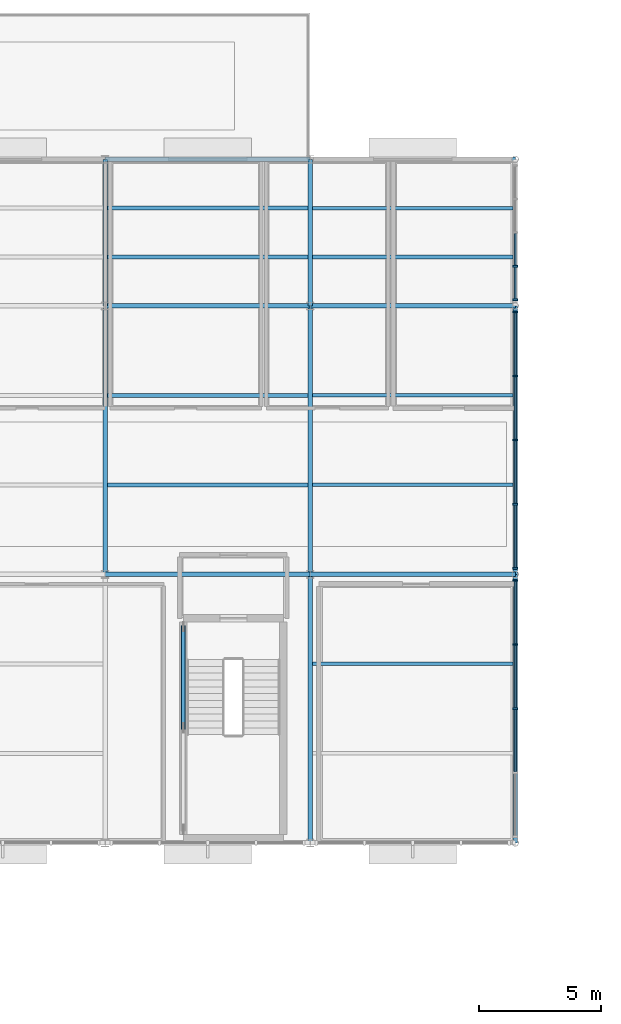
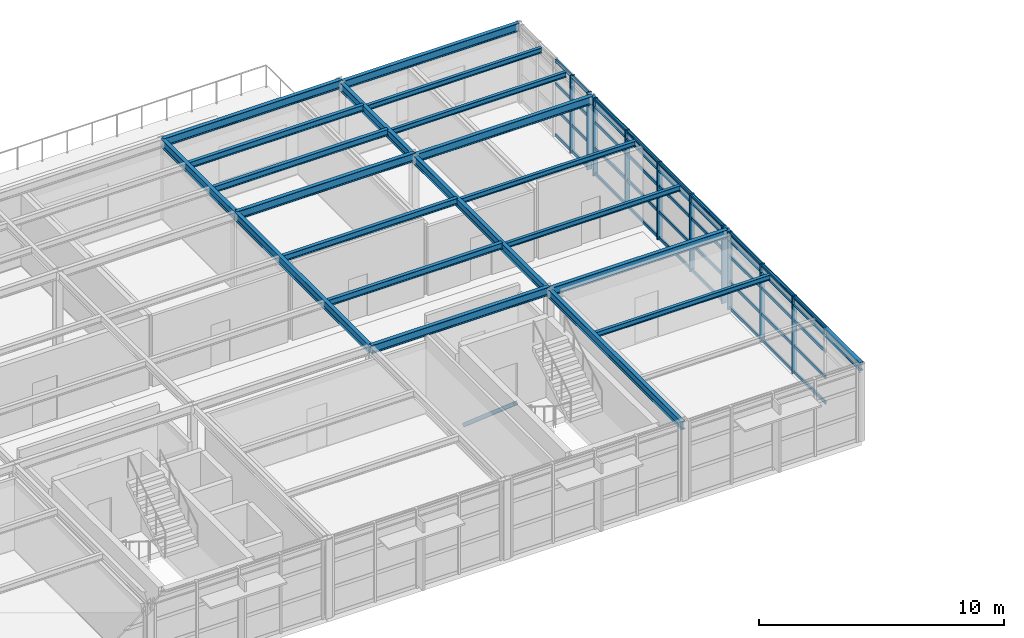
# One storey, part 10 of 21: 47 members, 22 beams, 3 elements without a shape of their own.
"""IFC4 building model written with IfcOpenShell, lengths in metres."""

from ifc_helpers import new_model, si_unit, direction, frame, origin, origin_2d, place, context, subcontext, project, spatial, rectangle, hollow_rectangle, i_section, extrude, material, layer, layer_set, material_profile, profile_set, type_object, element, aggregate, save


model = new_model("IFC4")

# Units and contexts
model_context = context("Model", 3, precision=1e-05, world=origin(), true_north=direction((0.0, 1.0)))
body_context = subcontext(model_context, "Body", "Model", "MODEL_VIEW")
ifc_project = project(units=[si_unit("LENGTHUNIT", "METRE"), si_unit("AREAUNIT", "SQUARE_METRE"), si_unit("VOLUMEUNIT", "CUBIC_METRE"), si_unit("PLANEANGLEUNIT", "RADIAN"), si_unit("MASSUNIT", "GRAM", prefix="KILO")], contexts=[model_context])

# Site, building, storey
site_placement = place(None, origin())
site = spatial("IfcSite", under=ifc_project, at=site_placement, CompositionType="ELEMENT")
building_placement = place(site_placement, origin())
building = spatial("IfcBuilding", under=site, at=building_placement, Name="Sitalva Quay Ferry Terminal", CompositionType="ELEMENT")
storey_placement = place(building_placement, frame((0.0, 0.0, 14.39990234375)))
storey = spatial("IfcBuildingStorey", under=building, at=storey_placement, Name="L04", CompositionType="ELEMENT", Elevation=14.39990234375)

# Beams
ifc_material_1 = material(Name="Structural Steel S355JR", Category="steel")
ifc_material_profile_1 = material_profile(ifc_material_1, i_section(OverallWidth=0.178955078125, OverallDepth=0.409912109375, WebThickness=0.0087890625, FlangeThickness=0.014404296875, FilletRadius=0.012939453125, at=origin_2d()), Name="W410x67")
ifc_profile_set_1 = profile_set([ifc_material_profile_1], Name="Structural Steel S355JR")
beam_type_1 = type_object("IfcBeamType", Name="Beam_W410x67", PredefinedType="BEAM", material=ifc_profile_set_1)
beam_1_placement = place(storey_placement, frame((109.199951171875, 89.0, 3.7451171875), z_axis=(0.0, 1.0, 0.0), x_axis=(-1.0, 0.0, 0.0)))
element("IfcBeam", 1, at=beam_1_placement, inside=storey, type_object=beam_type_1, Name="L04 Primary Y girder 1358", PredefinedType="BEAM", context=body_context, shape_type="SweptSolid", body=[
    extrude(i_section(OverallWidth=0.178955078125, OverallDepth=0.409912109375, WebThickness=0.0087890625, FlangeThickness=0.014404296875, FilletRadius=0.012939453125, at=origin_2d()), origin(), (0.0, 0.0, 1.0), 11.0),
])
beam_2_placement = place(storey_placement, frame((109.199951171875, 100.0, 3.7451171875), z_axis=(0.0, 1.0, 0.0), x_axis=(-1.0, 0.0, 0.0)))
element("IfcBeam", 2, at=beam_2_placement, inside=storey, type_object=beam_type_1, Name="L04 Primary Y girder 1359", PredefinedType="BEAM", context=body_context, shape_type="SweptSolid", body=[
    extrude(i_section(OverallWidth=0.178955078125, OverallDepth=0.409912109375, WebThickness=0.0087890625, FlangeThickness=0.014404296875, FilletRadius=0.012939453125, at=origin_2d()), origin(), (0.0, 0.0, 1.0), 6.0),
])
for number, where, z_axis, x_axis, name in (
    (3, (117.60009765625, 78.0, 3.64501953125), (0.0, 1.0, 0.0), (-1.0, 0.0, 0.0), "L04 Primary Y girder 1360"),
    (4, (117.60009765625, 89.0, 3.64501953125), (0.0, 1.0, 0.0), (-1.0, 0.0, 0.0), "L04 Primary Y girder 1361"),
):
    element("IfcBeam", number, at=place(storey_placement, frame(where, z_axis=z_axis, x_axis=x_axis)), inside=storey, type_object=beam_type_1, Name=name, PredefinedType="BEAM", context=body_context, shape_type="SweptSolid", body=[
        extrude(i_section(OverallWidth=0.178955078125, OverallDepth=0.409912109375, WebThickness=0.0087890625, FlangeThickness=0.014404296875, FilletRadius=0.012939453125, at=origin_2d()), origin(), (0.0, 0.0, 1.0), 11.0),
    ])
beam_3_placement = place(storey_placement, frame((117.60009765625, 100.0, 3.64501953125), z_axis=(0.0, 1.0, 0.0), x_axis=(-1.0, 0.0, 0.0)))
element("IfcBeam", 5, at=beam_3_placement, inside=storey, type_object=beam_type_1, Name="L04 Primary Y girder 1362", PredefinedType="BEAM", context=body_context, shape_type="SweptSolid", body=[
    extrude(i_section(OverallWidth=0.178955078125, OverallDepth=0.409912109375, WebThickness=0.0087890625, FlangeThickness=0.014404296875, FilletRadius=0.012939453125, at=origin_2d()), origin(), (0.0, 0.0, 1.0), 6.0),
])
for number, where, z_axis, x_axis, name in (
    (6, (117.60009765625, 89.0, 3.64501953125), (1.0, 0.0, 0.0), (0.0, 1.0, 0.0), "L04 Primary X girder 1388"),
    (7, (117.60009765625, 100.0, 3.64501953125), (1.0, 0.0, 0.0), (0.0, 1.0, 0.0), "L04 Primary X girder 1389"),
    (8, (117.60009765625, 106.0, 3.64501953125), (1.0, 0.0, 0.0), (0.0, 1.0, 0.0), "L04 Primary X girder 1390"),
):
    element("IfcBeam", number, at=place(storey_placement, frame(where, z_axis=z_axis, x_axis=x_axis)), inside=storey, type_object=beam_type_1, Name=name, PredefinedType="BEAM", context=body_context, shape_type="SweptSolid", body=[
        extrude(i_section(OverallWidth=0.178955078125, OverallDepth=0.409912109375, WebThickness=0.0087890625, FlangeThickness=0.014404296875, FilletRadius=0.012939453125, at=origin_2d()), origin(), (0.0, 0.0, 1.0), 8.39990234375),
    ])
for number, where, z_axis, x_axis, name in (
    (9, (126.0, 78.0, 3.64501953125), (0.0, 1.0, 0.0), (-1.0, 0.0, 0.0), "L04 Primary Y girder 1391"),
    (10, (126.0, 89.0, 3.64501953125), (0.0, 1.0, 0.0), (-1.0, 0.0, 0.0), "L04 Primary Y girder 1392"),
):
    element("IfcBeam", number, at=place(storey_placement, frame(where, z_axis=z_axis, x_axis=x_axis)), inside=storey, type_object=beam_type_1, Name=name, PredefinedType="BEAM", context=body_context, shape_type="SweptSolid", body=[
        extrude(i_section(OverallWidth=0.178955078125, OverallDepth=0.409912109375, WebThickness=0.0087890625, FlangeThickness=0.014404296875, FilletRadius=0.012939453125, at=origin_2d()), origin(), (0.0, 0.0, 1.0), 11.0),
    ])
ifc_material_2 = material(Name="Structural Steel S355JR", Category="steel")
ifc_material_profile_2 = material_profile(ifc_material_2, i_section(OverallWidth=0.180908203125, OverallDepth=0.4169921875, WebThickness=0.010986328125, FlangeThickness=0.018310546875, FilletRadius=0.012939453125, at=origin_2d()), Name="W410x85")
ifc_profile_set_2 = profile_set([ifc_material_profile_2], Name="Structural Steel S355JR")
beam_type_2 = type_object("IfcBeamType", Name="Beam_W410x85", PredefinedType="BEAM", material=ifc_profile_set_2)
for number, where, z_axis, x_axis, name in (
    (11, (109.199951171875, 89.0, 3.74169921875), (1.0, 0.0, 0.0), (0.0, 1.0, 0.0), "L04 Primary X girder 1334"),
    (12, (109.199951171875, 100.0, 3.74169921875), (1.0, 0.0, 0.0), (0.0, 1.0, 0.0), "L04 Primary X girder 1339"),
    (13, (109.199951171875, 106.0, 3.74169921875), (1.0, 0.0, 0.0), (0.0, 1.0, 0.0), "L04 Primary X girder 1344"),
):
    element("IfcBeam", number, at=place(storey_placement, frame(where, z_axis=z_axis, x_axis=x_axis)), inside=storey, type_object=beam_type_2, Name=name, PredefinedType="BEAM", context=body_context, shape_type="SweptSolid", body=[
        extrude(i_section(OverallWidth=0.180908203125, OverallDepth=0.4169921875, WebThickness=0.010986328125, FlangeThickness=0.018310546875, FilletRadius=0.012939453125, at=origin_2d()), origin(), (0.0, 0.0, 1.0), 8.400146484375),
    ])

# Member
ifc_material_3 = material(Name="Structural Steel S355JR", Category="steel")
ifc_material_profile_3 = material_profile(ifc_material_3, hollow_rectangle(XDim=0.179931640625, YDim=0.179931640625, WallThickness=0.010009765625, InnerFilletRadius=0.010009765625, OuterFilletRadius=0.02001953125, at=origin_2d()), Name="SHS180x180x10")
ifc_profile_set_3 = profile_set([ifc_material_profile_3], Name="Structural Steel S355JR")
member_type_1 = type_object("IfcMemberType", Name="Brace_SHS180x10", PredefinedType="BRACE", material=ifc_profile_set_3)
member_1_placement = place(storey_placement, frame((112.39990234375, 82.699951171875, 3.72998046875), z_axis=(0.0, 0.757218501508, -0.653161649957), x_axis=(-1.0, 0.0, 0.0)))
element("IfcMember", 14, at=member_1_placement, inside=storey, type_object=member_type_1, Name="Braced frame BF5 L04 chevron B", PredefinedType="BRACE", context=body_context, shape_type="SweptSolid", body=[
    extrude(hollow_rectangle(XDim=0.179931640625, YDim=0.179931640625, WallThickness=0.010009765625, InnerFilletRadius=0.010009765625, OuterFilletRadius=0.02001953125, at=origin_2d()), origin(), (0.0, 0.0, 1.0), 5.480712890625),
])

# Beams
ifc_material_4 = material(Name="Structural Steel S355JR", Category="steel")
ifc_material_profile_4 = material_profile(ifc_material_4, i_section(OverallWidth=0.14697265625, OverallDepth=0.261962890625, WebThickness=0.006591796875, FlangeThickness=0.01123046875, FilletRadius=0.010009765625, at=origin_2d()), Name="W250x39")
ifc_profile_set_4 = profile_set([ifc_material_profile_4], Name="Structural Steel S355JR")
beam_type_3 = type_object("IfcBeamType", Name="Joist_W250x39", PredefinedType="JOIST", material=ifc_profile_set_4)
for number, where, z_axis, x_axis, name in (
    (15, (117.689453125, 85.333251953125, 3.718994140625), (1.0, 0.0, 0.0), (0.0, 1.0, 0.0), "L04 Secondary joist 1395"),
    (16, (117.689453125, 92.666748046875, 3.718994140625), (1.0, 0.0, 0.0), (0.0, 1.0, 0.0), "L04 Secondary joist 1396"),
    (17, (117.689453125, 96.333251953125, 3.718994140625), (1.0, 0.0, 0.0), (0.0, 1.0, 0.0), "L04 Secondary joist 1397"),
    (18, (117.689453125, 102.0, 3.718994140625), (1.0, 0.0, 0.0), (0.0, 1.0, 0.0), "L04 Secondary joist 1398"),
    (19, (117.689453125, 104.0, 3.718994140625), (1.0, 0.0, 0.0), (0.0, 1.0, 0.0), "L04 Secondary joist 1399"),
):
    element("IfcBeam", number, at=place(storey_placement, frame(where, z_axis=z_axis, x_axis=x_axis)), inside=storey, type_object=beam_type_3, Name=name, PredefinedType="JOIST", context=body_context, shape_type="SweptSolid", body=[
        extrude(i_section(OverallWidth=0.14697265625, OverallDepth=0.261962890625, WebThickness=0.006591796875, FlangeThickness=0.01123046875, FilletRadius=0.010009765625, at=origin_2d()), origin(), (0.0, 0.0, 1.0), 8.220947265625),
    ])
ifc_material_5 = material(Name="Structural Steel S355JR", Category="steel")
ifc_material_profile_5 = material_profile(ifc_material_5, i_section(OverallWidth=0.166015625, OverallDepth=0.31298828125, WebThickness=0.006591796875, FlangeThickness=0.01123046875, FilletRadius=0.010986328125, at=origin_2d()), Name="W310x45")
ifc_profile_set_5 = profile_set([ifc_material_profile_5], Name="Structural Steel S355JR")
beam_type_4 = type_object("IfcBeamType", Name="Joist_W310x45", PredefinedType="JOIST", material=ifc_profile_set_5)
for number, where, z_axis, x_axis, name in (
    (20, (109.28955078125, 92.666748046875, 3.793701171875), (1.0, 0.0, 0.0), (0.0, 1.0, 0.0), "L04 Secondary joist 1371"),
    (21, (109.28955078125, 96.333251953125, 3.793701171875), (1.0, 0.0, 0.0), (0.0, 1.0, 0.0), "L04 Secondary joist 1376"),
    (22, (109.28955078125, 102.0, 3.793701171875), (1.0, 0.0, 0.0), (0.0, 1.0, 0.0), "L04 Secondary joist 1381"),
    (23, (109.28955078125, 104.0, 3.793701171875), (1.0, 0.0, 0.0), (0.0, 1.0, 0.0), "L04 Secondary joist 1386"),
):
    element("IfcBeam", number, at=place(storey_placement, frame(where, z_axis=z_axis, x_axis=x_axis)), inside=storey, type_object=beam_type_4, Name=name, PredefinedType="JOIST", context=body_context, shape_type="SweptSolid", body=[
        extrude(i_section(OverallWidth=0.166015625, OverallDepth=0.31298828125, WebThickness=0.006591796875, FlangeThickness=0.01123046875, FilletRadius=0.010986328125, at=origin_2d()), origin(), (0.0, 0.0, 1.0), 8.220947265625),
    ])

# Curtain wall, members
ifc_material_6 = material(Name="Anodised Aluminium & Low-E Glazing", Category="aluminium")
ifc_layer = layer(ifc_material_6, 0.159912109375)
ifc_layer_set = layer_set([ifc_layer], Name="Anodised Aluminium & Low-E Glazing")
curtain_wall_type = type_object("IfcCurtainWallType", Name="CW_Office_Unitised", PredefinedType="USERDEFINED", material=ifc_layer_set)
curtain_wall_1_placement = place(storey_placement, origin())
curtain_wall_1 = element("IfcCurtainWall", 24, at=curtain_wall_1_placement, inside=storey, type_object=curtain_wall_type, Name="L04 pilotage east glazing (CW-L04-138)", ObjectType="CURTAIN_WALL", PredefinedType="USERDEFINED")
ifc_material_7 = material(Name="Anodised Aluminium 6063-T6", Category="aluminium")
ifc_material_profile_6 = material_profile(ifc_material_7, rectangle(XDim=0.074951171875, YDim=0.219970703125, at=origin_2d()), Name="ALU75x220")
ifc_profile_set_6 = profile_set([ifc_material_profile_6], Name="Anodised Aluminium 6063-T6")
member_type_2 = type_object("IfcMemberType", Name="Mullion_Alu_75x160", PredefinedType="MULLION", material=ifc_profile_set_6)
member_2_placement = place(storey_placement, frame((126.0, 83.5, 0.0), z_axis=(0.0, 0.0, 1.0), x_axis=(0.0, 1.0, 0.0)))
member_2 = element("IfcMember", 25, at=member_2_placement, type_object=member_type_2, Name="CW-L04-138-M2", PredefinedType="MULLION", context=body_context, shape_type="SweptSolid", body=[
    extrude(rectangle(XDim=0.074951171875, YDim=0.219970703125, at=origin_2d()), origin(), (0.0, 0.0, 1.0), 3.85009765625),
])
member_3_placement = place(storey_placement, frame((126.0, 86.125, 0.0), z_axis=(0.0, 0.0, 1.0), x_axis=(0.0, 1.0, 0.0)))
member_3 = element("IfcMember", 26, at=member_3_placement, type_object=member_type_2, Name="CW-L04-138-M3", PredefinedType="MULLION", context=body_context, shape_type="SweptSolid", body=[
    extrude(rectangle(XDim=0.074951171875, YDim=0.219970703125, at=origin_2d()), origin(), (0.0, 0.0, 1.0), 3.85009765625),
])
member_4_placement = place(storey_placement, frame((126.0, 88.75, 0.0), z_axis=(0.0, 0.0, 1.0), x_axis=(0.0, 1.0, 0.0)))
member_4 = element("IfcMember", 27, at=member_4_placement, type_object=member_type_2, Name="CW-L04-138-M4", PredefinedType="MULLION", context=body_context, shape_type="SweptSolid", body=[
    extrude(rectangle(XDim=0.074951171875, YDim=0.219970703125, at=origin_2d()), origin(), (0.0, 0.0, 1.0), 3.85009765625),
])

curtain_wall_2_placement = place(storey_placement, origin())
curtain_wall_2 = element("IfcCurtainWall", 28, at=curtain_wall_2_placement, inside=storey, type_object=curtain_wall_type, Name="L04 pilotage east glazing (CW-L04-140)", ObjectType="CURTAIN_WALL", PredefinedType="USERDEFINED")
member_5_placement = place(storey_placement, frame((126.0, 89.25, 0.0), z_axis=(0.0, 0.0, 1.0), x_axis=(0.0, 1.0, 0.0)))
member_5 = element("IfcMember", 29, at=member_5_placement, type_object=member_type_2, Name="CW-L04-140-M0", PredefinedType="MULLION", context=body_context, shape_type="SweptSolid", body=[
    extrude(rectangle(XDim=0.074951171875, YDim=0.219970703125, at=origin_2d()), origin(), (0.0, 0.0, 1.0), 3.85009765625),
])
member_6_placement = place(storey_placement, frame((126.0, 91.875, 0.0), z_axis=(0.0, 0.0, 1.0), x_axis=(0.0, 1.0, 0.0)))
member_6 = element("IfcMember", 30, at=member_6_placement, type_object=member_type_2, Name="CW-L04-140-M1", PredefinedType="MULLION", context=body_context, shape_type="SweptSolid", body=[
    extrude(rectangle(XDim=0.074951171875, YDim=0.219970703125, at=origin_2d()), origin(), (0.0, 0.0, 1.0), 3.85009765625),
])
member_7_placement = place(storey_placement, frame((126.0, 94.5, 0.0), z_axis=(0.0, 0.0, 1.0), x_axis=(0.0, 1.0, 0.0)))
member_7 = element("IfcMember", 31, at=member_7_placement, type_object=member_type_2, Name="CW-L04-140-M2", PredefinedType="MULLION", context=body_context, shape_type="SweptSolid", body=[
    extrude(rectangle(XDim=0.074951171875, YDim=0.219970703125, at=origin_2d()), origin(), (0.0, 0.0, 1.0), 3.85009765625),
])
member_8_placement = place(storey_placement, frame((126.0, 97.125, 0.0), z_axis=(0.0, 0.0, 1.0), x_axis=(0.0, 1.0, 0.0)))
member_8 = element("IfcMember", 32, at=member_8_placement, type_object=member_type_2, Name="CW-L04-140-M3", PredefinedType="MULLION", context=body_context, shape_type="SweptSolid", body=[
    extrude(rectangle(XDim=0.074951171875, YDim=0.219970703125, at=origin_2d()), origin(), (0.0, 0.0, 1.0), 3.85009765625),
])
member_9_placement = place(storey_placement, frame((126.0, 99.75, 0.0), z_axis=(0.0, 0.0, 1.0), x_axis=(0.0, 1.0, 0.0)))
member_9 = element("IfcMember", 33, at=member_9_placement, type_object=member_type_2, Name="CW-L04-140-M4", PredefinedType="MULLION", context=body_context, shape_type="SweptSolid", body=[
    extrude(rectangle(XDim=0.074951171875, YDim=0.219970703125, at=origin_2d()), origin(), (0.0, 0.0, 1.0), 3.85009765625),
])

curtain_wall_3_placement = place(storey_placement, origin())
curtain_wall_3 = element("IfcCurtainWall", 34, at=curtain_wall_3_placement, inside=storey, type_object=curtain_wall_type, Name="L04 pilotage east glazing (CW-L04-142)", ObjectType="CURTAIN_WALL", PredefinedType="USERDEFINED")
member_10_placement = place(storey_placement, frame((126.0, 100.25, 0.0), z_axis=(0.0, 0.0, 1.0), x_axis=(0.0, 1.0, 0.0)))
member_10 = element("IfcMember", 35, at=member_10_placement, type_object=member_type_2, Name="CW-L04-142-M0", PredefinedType="MULLION", context=body_context, shape_type="SweptSolid", body=[
    extrude(rectangle(XDim=0.074951171875, YDim=0.219970703125, at=origin_2d()), origin(), (0.0, 0.0, 1.0), 3.85009765625),
])
member_11_placement = place(storey_placement, frame((126.0, 101.625, 0.0), z_axis=(0.0, 0.0, 1.0), x_axis=(0.0, 1.0, 0.0)))
member_11 = element("IfcMember", 36, at=member_11_placement, type_object=member_type_2, Name="CW-L04-142-M1", PredefinedType="MULLION", context=body_context, shape_type="SweptSolid", body=[
    extrude(rectangle(XDim=0.074951171875, YDim=0.219970703125, at=origin_2d()), origin(), (0.0, 0.0, 1.0), 3.85009765625),
])

# Member
ifc_material_8 = material(Name="Anodised Aluminium 6063-T6", Category="aluminium")
ifc_material_profile_7 = material_profile(ifc_material_8, rectangle(XDim=0.074951171875, YDim=0.14990234375, at=origin_2d()), Name="ALU75x150")
ifc_profile_set_7 = profile_set([ifc_material_profile_7], Name="Anodised Aluminium 6063-T6")
member_type_3 = type_object("IfcMemberType", Name="Transom_Alu_75x140", PredefinedType="MULLION", material=ifc_profile_set_7)
member_12_placement = place(storey_placement, frame((126.0, 80.91259765625, 0.0751953125), z_axis=(0.0, 1.0, 0.0), x_axis=(-1.0, 0.0, 0.0)))
member_12 = element("IfcMember", 37, at=member_12_placement, type_object=member_type_3, Name="CW-L04-138-T1-0", ObjectType="TRANSOM", PredefinedType="USERDEFINED", context=body_context, shape_type="SweptSolid", body=[
    extrude(rectangle(XDim=0.074951171875, YDim=0.14990234375, at=origin_2d()), origin(), (0.0, 0.0, 1.0), 2.5498046875),
])

member_13_placement = place(storey_placement, frame((126.0, 80.91259765625, 1.3583984375), z_axis=(0.0, 1.0, 0.0), x_axis=(-1.0, 0.0, 0.0)))
member_13 = element("IfcMember", 38, at=member_13_placement, type_object=member_type_3, Name="CW-L04-138-T1-1", ObjectType="TRANSOM", PredefinedType="USERDEFINED", context=body_context, shape_type="SweptSolid", body=[
    extrude(rectangle(XDim=0.074951171875, YDim=0.14990234375, at=origin_2d()), origin(), (0.0, 0.0, 1.0), 2.5498046875),
])

member_14_placement = place(storey_placement, frame((126.0, 80.91259765625, 2.641845703125), z_axis=(0.0, 1.0, 0.0), x_axis=(-1.0, 0.0, 0.0)))
member_14 = element("IfcMember", 39, at=member_14_placement, type_object=member_type_3, Name="CW-L04-138-T1-2", ObjectType="TRANSOM", PredefinedType="USERDEFINED", context=body_context, shape_type="SweptSolid", body=[
    extrude(rectangle(XDim=0.074951171875, YDim=0.14990234375, at=origin_2d()), origin(), (0.0, 0.0, 1.0), 2.5498046875),
])

member_15_placement = place(storey_placement, frame((126.0, 80.91259765625, 3.775146484375), z_axis=(0.0, 1.0, 0.0), x_axis=(-1.0, 0.0, 0.0)))
member_15 = element("IfcMember", 40, at=member_15_placement, type_object=member_type_3, Name="CW-L04-138-T1-3", ObjectType="TRANSOM", PredefinedType="USERDEFINED", context=body_context, shape_type="SweptSolid", body=[
    extrude(rectangle(XDim=0.074951171875, YDim=0.14990234375, at=origin_2d()), origin(), (0.0, 0.0, 1.0), 2.5498046875),
])

member_16_placement = place(storey_placement, frame((126.0, 83.53759765625, 0.0751953125), z_axis=(0.0, 1.0, 0.0), x_axis=(-1.0, 0.0, 0.0)))
member_16 = element("IfcMember", 41, at=member_16_placement, type_object=member_type_3, Name="CW-L04-138-T2-0", ObjectType="TRANSOM", PredefinedType="USERDEFINED", context=body_context, shape_type="SweptSolid", body=[
    extrude(rectangle(XDim=0.074951171875, YDim=0.14990234375, at=origin_2d()), origin(), (0.0, 0.0, 1.0), 2.5498046875),
])

member_17_placement = place(storey_placement, frame((126.0, 83.53759765625, 1.3583984375), z_axis=(0.0, 1.0, 0.0), x_axis=(-1.0, 0.0, 0.0)))
member_17 = element("IfcMember", 42, at=member_17_placement, type_object=member_type_3, Name="CW-L04-138-T2-1", ObjectType="TRANSOM", PredefinedType="USERDEFINED", context=body_context, shape_type="SweptSolid", body=[
    extrude(rectangle(XDim=0.074951171875, YDim=0.14990234375, at=origin_2d()), origin(), (0.0, 0.0, 1.0), 2.5498046875),
])

member_18_placement = place(storey_placement, frame((126.0, 83.53759765625, 2.641845703125), z_axis=(0.0, 1.0, 0.0), x_axis=(-1.0, 0.0, 0.0)))
member_18 = element("IfcMember", 43, at=member_18_placement, type_object=member_type_3, Name="CW-L04-138-T2-2", ObjectType="TRANSOM", PredefinedType="USERDEFINED", context=body_context, shape_type="SweptSolid", body=[
    extrude(rectangle(XDim=0.074951171875, YDim=0.14990234375, at=origin_2d()), origin(), (0.0, 0.0, 1.0), 2.5498046875),
])

member_19_placement = place(storey_placement, frame((126.0, 83.53759765625, 3.775146484375), z_axis=(0.0, 1.0, 0.0), x_axis=(-1.0, 0.0, 0.0)))
member_19 = element("IfcMember", 44, at=member_19_placement, type_object=member_type_3, Name="CW-L04-138-T2-3", ObjectType="TRANSOM", PredefinedType="USERDEFINED", context=body_context, shape_type="SweptSolid", body=[
    extrude(rectangle(XDim=0.074951171875, YDim=0.14990234375, at=origin_2d()), origin(), (0.0, 0.0, 1.0), 2.5498046875),
])

member_20_placement = place(storey_placement, frame((126.0, 86.16259765625, 0.0751953125), z_axis=(0.0, 1.0, 0.0), x_axis=(-1.0, 0.0, 0.0)))
member_20 = element("IfcMember", 45, at=member_20_placement, type_object=member_type_3, Name="CW-L04-138-T3-0", ObjectType="TRANSOM", PredefinedType="USERDEFINED", context=body_context, shape_type="SweptSolid", body=[
    extrude(rectangle(XDim=0.074951171875, YDim=0.14990234375, at=origin_2d()), origin(), (0.0, 0.0, 1.0), 2.5498046875),
])

member_21_placement = place(storey_placement, frame((126.0, 86.16259765625, 1.3583984375), z_axis=(0.0, 1.0, 0.0), x_axis=(-1.0, 0.0, 0.0)))
member_21 = element("IfcMember", 46, at=member_21_placement, type_object=member_type_3, Name="CW-L04-138-T3-1", ObjectType="TRANSOM", PredefinedType="USERDEFINED", context=body_context, shape_type="SweptSolid", body=[
    extrude(rectangle(XDim=0.074951171875, YDim=0.14990234375, at=origin_2d()), origin(), (0.0, 0.0, 1.0), 2.5498046875),
])

member_22_placement = place(storey_placement, frame((126.0, 86.16259765625, 2.641845703125), z_axis=(0.0, 1.0, 0.0), x_axis=(-1.0, 0.0, 0.0)))
member_22 = element("IfcMember", 47, at=member_22_placement, type_object=member_type_3, Name="CW-L04-138-T3-2", ObjectType="TRANSOM", PredefinedType="USERDEFINED", context=body_context, shape_type="SweptSolid", body=[
    extrude(rectangle(XDim=0.074951171875, YDim=0.14990234375, at=origin_2d()), origin(), (0.0, 0.0, 1.0), 2.5498046875),
])

member_23_placement = place(storey_placement, frame((126.0, 86.16259765625, 3.775146484375), z_axis=(0.0, 1.0, 0.0), x_axis=(-1.0, 0.0, 0.0)))
member_23 = element("IfcMember", 48, at=member_23_placement, type_object=member_type_3, Name="CW-L04-138-T3-3", ObjectType="TRANSOM", PredefinedType="USERDEFINED", context=body_context, shape_type="SweptSolid", body=[
    extrude(rectangle(XDim=0.074951171875, YDim=0.14990234375, at=origin_2d()), origin(), (0.0, 0.0, 1.0), 2.5498046875),
])

aggregate(curtain_wall_1, [member_2, member_3, member_4, member_12, member_13, member_14, member_15, member_16, member_17, member_18, member_19, member_20, member_21, member_22, member_23])

member_24_placement = place(storey_placement, frame((126.0, 89.28759765625, 0.0751953125), z_axis=(0.0, 1.0, 0.0), x_axis=(-1.0, 0.0, 0.0)))
member_24 = element("IfcMember", 49, at=member_24_placement, type_object=member_type_3, Name="CW-L04-140-T0-0", ObjectType="TRANSOM", PredefinedType="USERDEFINED", context=body_context, shape_type="SweptSolid", body=[
    extrude(rectangle(XDim=0.074951171875, YDim=0.14990234375, at=origin_2d()), origin(), (0.0, 0.0, 1.0), 2.5498046875),
])

member_25_placement = place(storey_placement, frame((126.0, 89.28759765625, 1.3583984375), z_axis=(0.0, 1.0, 0.0), x_axis=(-1.0, 0.0, 0.0)))
member_25 = element("IfcMember", 50, at=member_25_placement, type_object=member_type_3, Name="CW-L04-140-T0-1", ObjectType="TRANSOM", PredefinedType="USERDEFINED", context=body_context, shape_type="SweptSolid", body=[
    extrude(rectangle(XDim=0.074951171875, YDim=0.14990234375, at=origin_2d()), origin(), (0.0, 0.0, 1.0), 2.5498046875),
])

member_26_placement = place(storey_placement, frame((126.0, 89.28759765625, 2.641845703125), z_axis=(0.0, 1.0, 0.0), x_axis=(-1.0, 0.0, 0.0)))
member_26 = element("IfcMember", 51, at=member_26_placement, type_object=member_type_3, Name="CW-L04-140-T0-2", ObjectType="TRANSOM", PredefinedType="USERDEFINED", context=body_context, shape_type="SweptSolid", body=[
    extrude(rectangle(XDim=0.074951171875, YDim=0.14990234375, at=origin_2d()), origin(), (0.0, 0.0, 1.0), 2.5498046875),
])

member_27_placement = place(storey_placement, frame((126.0, 89.28759765625, 3.775146484375), z_axis=(0.0, 1.0, 0.0), x_axis=(-1.0, 0.0, 0.0)))
member_27 = element("IfcMember", 52, at=member_27_placement, type_object=member_type_3, Name="CW-L04-140-T0-3", ObjectType="TRANSOM", PredefinedType="USERDEFINED", context=body_context, shape_type="SweptSolid", body=[
    extrude(rectangle(XDim=0.074951171875, YDim=0.14990234375, at=origin_2d()), origin(), (0.0, 0.0, 1.0), 2.5498046875),
])

member_28_placement = place(storey_placement, frame((126.0, 91.91259765625, 0.0751953125), z_axis=(0.0, 1.0, 0.0), x_axis=(-1.0, 0.0, 0.0)))
member_28 = element("IfcMember", 53, at=member_28_placement, type_object=member_type_3, Name="CW-L04-140-T1-0", ObjectType="TRANSOM", PredefinedType="USERDEFINED", context=body_context, shape_type="SweptSolid", body=[
    extrude(rectangle(XDim=0.074951171875, YDim=0.14990234375, at=origin_2d()), origin(), (0.0, 0.0, 1.0), 2.5498046875),
])

member_29_placement = place(storey_placement, frame((126.0, 91.91259765625, 1.3583984375), z_axis=(0.0, 1.0, 0.0), x_axis=(-1.0, 0.0, 0.0)))
member_29 = element("IfcMember", 54, at=member_29_placement, type_object=member_type_3, Name="CW-L04-140-T1-1", ObjectType="TRANSOM", PredefinedType="USERDEFINED", context=body_context, shape_type="SweptSolid", body=[
    extrude(rectangle(XDim=0.074951171875, YDim=0.14990234375, at=origin_2d()), origin(), (0.0, 0.0, 1.0), 2.5498046875),
])

member_30_placement = place(storey_placement, frame((126.0, 91.91259765625, 2.641845703125), z_axis=(0.0, 1.0, 0.0), x_axis=(-1.0, 0.0, 0.0)))
member_30 = element("IfcMember", 55, at=member_30_placement, type_object=member_type_3, Name="CW-L04-140-T1-2", ObjectType="TRANSOM", PredefinedType="USERDEFINED", context=body_context, shape_type="SweptSolid", body=[
    extrude(rectangle(XDim=0.074951171875, YDim=0.14990234375, at=origin_2d()), origin(), (0.0, 0.0, 1.0), 2.5498046875),
])

member_31_placement = place(storey_placement, frame((126.0, 91.91259765625, 3.775146484375), z_axis=(0.0, 1.0, 0.0), x_axis=(-1.0, 0.0, 0.0)))
member_31 = element("IfcMember", 56, at=member_31_placement, type_object=member_type_3, Name="CW-L04-140-T1-3", ObjectType="TRANSOM", PredefinedType="USERDEFINED", context=body_context, shape_type="SweptSolid", body=[
    extrude(rectangle(XDim=0.074951171875, YDim=0.14990234375, at=origin_2d()), origin(), (0.0, 0.0, 1.0), 2.5498046875),
])

member_32_placement = place(storey_placement, frame((126.0, 94.53759765625, 0.0751953125), z_axis=(0.0, 1.0, 0.0), x_axis=(-1.0, 0.0, 0.0)))
member_32 = element("IfcMember", 57, at=member_32_placement, type_object=member_type_3, Name="CW-L04-140-T2-0", ObjectType="TRANSOM", PredefinedType="USERDEFINED", context=body_context, shape_type="SweptSolid", body=[
    extrude(rectangle(XDim=0.074951171875, YDim=0.14990234375, at=origin_2d()), origin(), (0.0, 0.0, 1.0), 2.5498046875),
])

member_33_placement = place(storey_placement, frame((126.0, 94.53759765625, 1.3583984375), z_axis=(0.0, 1.0, 0.0), x_axis=(-1.0, 0.0, 0.0)))
member_33 = element("IfcMember", 58, at=member_33_placement, type_object=member_type_3, Name="CW-L04-140-T2-1", ObjectType="TRANSOM", PredefinedType="USERDEFINED", context=body_context, shape_type="SweptSolid", body=[
    extrude(rectangle(XDim=0.074951171875, YDim=0.14990234375, at=origin_2d()), origin(), (0.0, 0.0, 1.0), 2.5498046875),
])

member_34_placement = place(storey_placement, frame((126.0, 94.53759765625, 2.641845703125), z_axis=(0.0, 1.0, 0.0), x_axis=(-1.0, 0.0, 0.0)))
member_34 = element("IfcMember", 59, at=member_34_placement, type_object=member_type_3, Name="CW-L04-140-T2-2", ObjectType="TRANSOM", PredefinedType="USERDEFINED", context=body_context, shape_type="SweptSolid", body=[
    extrude(rectangle(XDim=0.074951171875, YDim=0.14990234375, at=origin_2d()), origin(), (0.0, 0.0, 1.0), 2.5498046875),
])

member_35_placement = place(storey_placement, frame((126.0, 94.53759765625, 3.775146484375), z_axis=(0.0, 1.0, 0.0), x_axis=(-1.0, 0.0, 0.0)))
member_35 = element("IfcMember", 60, at=member_35_placement, type_object=member_type_3, Name="CW-L04-140-T2-3", ObjectType="TRANSOM", PredefinedType="USERDEFINED", context=body_context, shape_type="SweptSolid", body=[
    extrude(rectangle(XDim=0.074951171875, YDim=0.14990234375, at=origin_2d()), origin(), (0.0, 0.0, 1.0), 2.5498046875),
])

member_36_placement = place(storey_placement, frame((126.0, 97.16259765625, 0.0751953125), z_axis=(0.0, 1.0, 0.0), x_axis=(-1.0, 0.0, 0.0)))
member_36 = element("IfcMember", 61, at=member_36_placement, type_object=member_type_3, Name="CW-L04-140-T3-0", ObjectType="TRANSOM", PredefinedType="USERDEFINED", context=body_context, shape_type="SweptSolid", body=[
    extrude(rectangle(XDim=0.074951171875, YDim=0.14990234375, at=origin_2d()), origin(), (0.0, 0.0, 1.0), 2.5498046875),
])

member_37_placement = place(storey_placement, frame((126.0, 97.16259765625, 1.3583984375), z_axis=(0.0, 1.0, 0.0), x_axis=(-1.0, 0.0, 0.0)))
member_37 = element("IfcMember", 62, at=member_37_placement, type_object=member_type_3, Name="CW-L04-140-T3-1", ObjectType="TRANSOM", PredefinedType="USERDEFINED", context=body_context, shape_type="SweptSolid", body=[
    extrude(rectangle(XDim=0.074951171875, YDim=0.14990234375, at=origin_2d()), origin(), (0.0, 0.0, 1.0), 2.5498046875),
])

member_38_placement = place(storey_placement, frame((126.0, 97.16259765625, 2.641845703125), z_axis=(0.0, 1.0, 0.0), x_axis=(-1.0, 0.0, 0.0)))
member_38 = element("IfcMember", 63, at=member_38_placement, type_object=member_type_3, Name="CW-L04-140-T3-2", ObjectType="TRANSOM", PredefinedType="USERDEFINED", context=body_context, shape_type="SweptSolid", body=[
    extrude(rectangle(XDim=0.074951171875, YDim=0.14990234375, at=origin_2d()), origin(), (0.0, 0.0, 1.0), 2.5498046875),
])

member_39_placement = place(storey_placement, frame((126.0, 97.16259765625, 3.775146484375), z_axis=(0.0, 1.0, 0.0), x_axis=(-1.0, 0.0, 0.0)))
member_39 = element("IfcMember", 64, at=member_39_placement, type_object=member_type_3, Name="CW-L04-140-T3-3", ObjectType="TRANSOM", PredefinedType="USERDEFINED", context=body_context, shape_type="SweptSolid", body=[
    extrude(rectangle(XDim=0.074951171875, YDim=0.14990234375, at=origin_2d()), origin(), (0.0, 0.0, 1.0), 2.5498046875),
])

aggregate(curtain_wall_2, [member_5, member_6, member_7, member_8, member_9, member_24, member_25, member_26, member_27, member_28, member_29, member_30, member_31, member_32, member_33, member_34, member_35, member_36, member_37, member_38, member_39])

member_40_placement = place(storey_placement, frame((126.0, 100.28759765625, 0.0751953125), z_axis=(0.0, 1.0, 0.0), x_axis=(-1.0, 0.0, 0.0)))
member_40 = element("IfcMember", 65, at=member_40_placement, type_object=member_type_3, Name="CW-L04-142-T0-0", ObjectType="TRANSOM", PredefinedType="USERDEFINED", context=body_context, shape_type="SweptSolid", body=[
    extrude(rectangle(XDim=0.074951171875, YDim=0.14990234375, at=origin_2d()), origin(), (0.0, 0.0, 1.0), 1.2998046875),
])

member_41_placement = place(storey_placement, frame((126.0, 100.28759765625, 1.3583984375), z_axis=(0.0, 1.0, 0.0), x_axis=(-1.0, 0.0, 0.0)))
member_41 = element("IfcMember", 66, at=member_41_placement, type_object=member_type_3, Name="CW-L04-142-T0-1", ObjectType="TRANSOM", PredefinedType="USERDEFINED", context=body_context, shape_type="SweptSolid", body=[
    extrude(rectangle(XDim=0.074951171875, YDim=0.14990234375, at=origin_2d()), origin(), (0.0, 0.0, 1.0), 1.2998046875),
])

member_42_placement = place(storey_placement, frame((126.0, 100.28759765625, 2.641845703125), z_axis=(0.0, 1.0, 0.0), x_axis=(-1.0, 0.0, 0.0)))
member_42 = element("IfcMember", 67, at=member_42_placement, type_object=member_type_3, Name="CW-L04-142-T0-2", ObjectType="TRANSOM", PredefinedType="USERDEFINED", context=body_context, shape_type="SweptSolid", body=[
    extrude(rectangle(XDim=0.074951171875, YDim=0.14990234375, at=origin_2d()), origin(), (0.0, 0.0, 1.0), 1.2998046875),
])

member_43_placement = place(storey_placement, frame((126.0, 100.28759765625, 3.775146484375), z_axis=(0.0, 1.0, 0.0), x_axis=(-1.0, 0.0, 0.0)))
member_43 = element("IfcMember", 68, at=member_43_placement, type_object=member_type_3, Name="CW-L04-142-T0-3", ObjectType="TRANSOM", PredefinedType="USERDEFINED", context=body_context, shape_type="SweptSolid", body=[
    extrude(rectangle(XDim=0.074951171875, YDim=0.14990234375, at=origin_2d()), origin(), (0.0, 0.0, 1.0), 1.2998046875),
])

member_44_placement = place(storey_placement, frame((126.0, 101.66259765625, 0.0751953125), z_axis=(0.0, 1.0, 0.0), x_axis=(-1.0, 0.0, 0.0)))
member_44 = element("IfcMember", 69, at=member_44_placement, type_object=member_type_3, Name="CW-L04-142-T1-0", ObjectType="TRANSOM", PredefinedType="USERDEFINED", context=body_context, shape_type="SweptSolid", body=[
    extrude(rectangle(XDim=0.074951171875, YDim=0.14990234375, at=origin_2d()), origin(), (0.0, 0.0, 1.0), 1.2998046875),
])

member_45_placement = place(storey_placement, frame((126.0, 101.66259765625, 1.3583984375), z_axis=(0.0, 1.0, 0.0), x_axis=(-1.0, 0.0, 0.0)))
member_45 = element("IfcMember", 70, at=member_45_placement, type_object=member_type_3, Name="CW-L04-142-T1-1", ObjectType="TRANSOM", PredefinedType="USERDEFINED", context=body_context, shape_type="SweptSolid", body=[
    extrude(rectangle(XDim=0.074951171875, YDim=0.14990234375, at=origin_2d()), origin(), (0.0, 0.0, 1.0), 1.2998046875),
])

member_46_placement = place(storey_placement, frame((126.0, 101.66259765625, 2.641845703125), z_axis=(0.0, 1.0, 0.0), x_axis=(-1.0, 0.0, 0.0)))
member_46 = element("IfcMember", 71, at=member_46_placement, type_object=member_type_3, Name="CW-L04-142-T1-2", ObjectType="TRANSOM", PredefinedType="USERDEFINED", context=body_context, shape_type="SweptSolid", body=[
    extrude(rectangle(XDim=0.074951171875, YDim=0.14990234375, at=origin_2d()), origin(), (0.0, 0.0, 1.0), 1.2998046875),
])

member_47_placement = place(storey_placement, frame((126.0, 101.66259765625, 3.775146484375), z_axis=(0.0, 1.0, 0.0), x_axis=(-1.0, 0.0, 0.0)))
member_47 = element("IfcMember", 72, at=member_47_placement, type_object=member_type_3, Name="CW-L04-142-T1-3", ObjectType="TRANSOM", PredefinedType="USERDEFINED", context=body_context, shape_type="SweptSolid", body=[
    extrude(rectangle(XDim=0.074951171875, YDim=0.14990234375, at=origin_2d()), origin(), (0.0, 0.0, 1.0), 1.2998046875),
])

aggregate(curtain_wall_3, [member_10, member_11, member_40, member_41, member_42, member_43, member_44, member_45, member_46, member_47])

save(model, "model.ifc")
